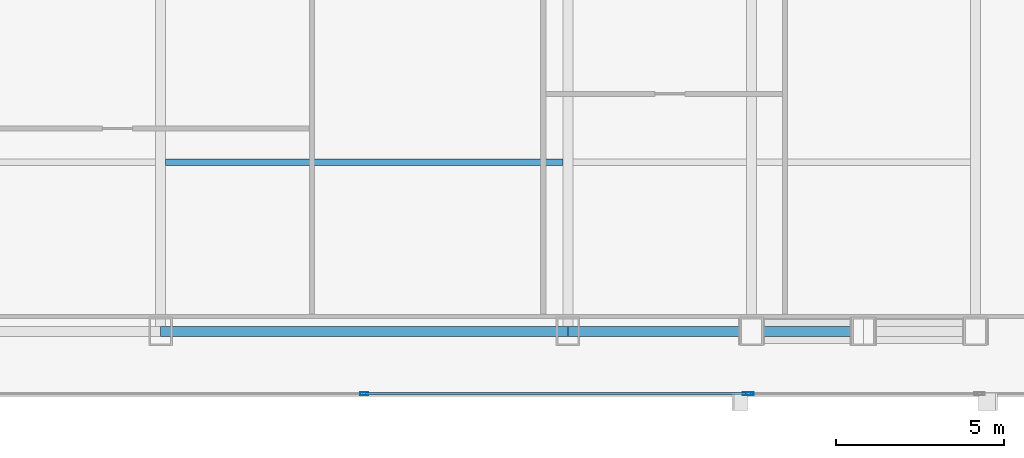
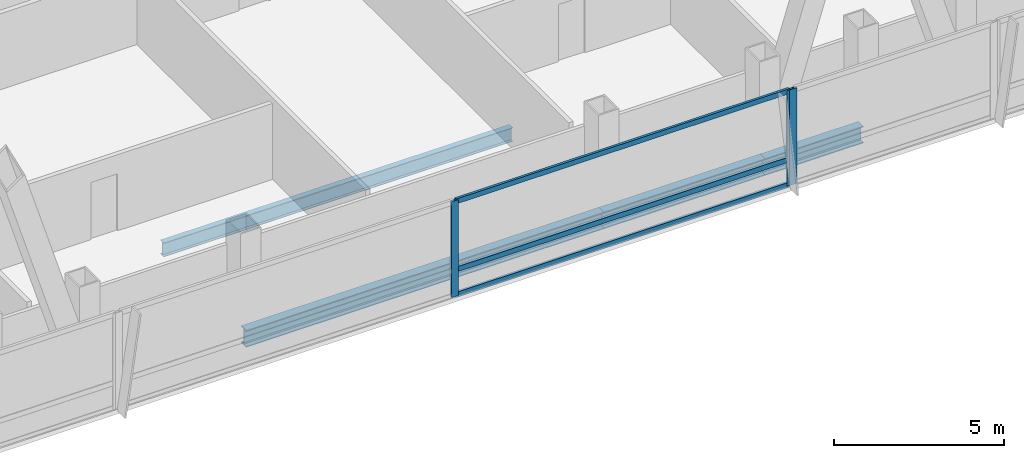
# One storey, part 12 of 30: 6 members, 4 beams, 2 elements without a shape of their own.
"""IFC4 building model written with IfcOpenShell, lengths in metres."""

from ifc_helpers import new_model, si_unit, direction, frame, origin, origin_2d, place, context, subcontext, project, spatial, hollow_rectangle, i_section, extrude, material, material_profile, profile_set, type_object, element, aggregate, save


model = new_model("IFC4")

# Units and contexts
model_context = context("Model", 3, precision=1e-05, world=origin(), true_north=direction((0.0, 1.0)))
body_context = subcontext(model_context, "Body", "Model", "MODEL_VIEW")
ifc_project = project(units=[si_unit("LENGTHUNIT", "METRE"), si_unit("AREAUNIT", "SQUARE_METRE"), si_unit("VOLUMEUNIT", "CUBIC_METRE"), si_unit("PLANEANGLEUNIT", "RADIAN"), si_unit("MASSUNIT", "GRAM", prefix="KILO")], contexts=[model_context])

# Site, building, storey
site_placement = place(None, origin())
site = spatial("IfcSite", under=ifc_project, at=site_placement, CompositionType="ELEMENT")
building_placement = place(site_placement, origin())
building = spatial("IfcBuilding", under=site, at=building_placement, Name="Khoronbel Lancet Exchange", CompositionType="ELEMENT")
storey_placement = place(building_placement, frame((0.0, 0.0, 136.199951171875)))
storey = spatial("IfcBuildingStorey", under=building, at=storey_placement, Name="L33", CompositionType="ELEMENT", Elevation=136.199951171875)

# Beams
ifc_material_1 = material(Name="Steel S355", Category="steel")
ifc_material_profile_1 = material_profile(ifc_material_1, i_section(OverallWidth=0.199951171875, OverallDepth=0.5, WebThickness=0.01025390625, FlangeThickness=0.01611328125, at=origin_2d()), Name="IPE 500")
ifc_profile_set_1 = profile_set([ifc_material_profile_1], Name="Steel S355")
beam_type_1 = type_object("IfcBeamType", Name="BM-BJ3", PredefinedType="JOIST", material=ifc_profile_set_1)
beam_1_placement = place(storey_placement, frame((30.52490234375, 15.199951171875, -0.409912109375), z_axis=(1.0, 0.0, 0.0), x_axis=(0.0, 1.0, 0.0)))
element("IfcBeam", 1, at=beam_1_placement, inside=storey, type_object=beam_type_1, Name="Level L33 secondary composite joist J03", PredefinedType="JOIST", context=body_context, shape_type="SweptSolid", body=[
    extrude(i_section(OverallWidth=0.199951171875, OverallDepth=0.5, WebThickness=0.01025390625, FlangeThickness=0.01611328125, at=origin_2d()), origin(), (0.0, 0.0, 1.0), 11.85009765625),
])
ifc_material_profile_2 = material_profile(ifc_material_1, i_section(OverallWidth=0.300048828125, OverallDepth=0.60009765625, WebThickness=0.015380859375, FlangeThickness=0.030029296875, at=origin_2d()), Name="HEB 600")
ifc_profile_set_2 = profile_set([ifc_material_profile_2], Name="Steel S355")
beam_type_2 = type_object("IfcBeamType", Name="BM-BSP2", PredefinedType="SPANDREL", material=ifc_profile_set_2)
beam_2_placement = place(storey_placement, frame((30.375, 10.14990234375, -0.4599609375), z_axis=(1.0, 0.0, 0.0), x_axis=(0.0, 1.0, 0.0)))
element("IfcBeam", 2, at=beam_2_placement, inside=storey, type_object=beam_type_2, Name="Level L33 perimeter spandrel beam SP04", PredefinedType="SPANDREL", context=body_context, shape_type="SweptSolid", body=[
    extrude(i_section(OverallWidth=0.300048828125, OverallDepth=0.60009765625, WebThickness=0.015380859375, FlangeThickness=0.030029296875, at=origin_2d()), origin(), (0.0, 0.0, 1.0), 12.14990234375),
])
beam_3_placement = place(storey_placement, frame((42.52490234375, 10.14990234375, -0.4599609375), z_axis=(1.0, 0.0, 0.0), x_axis=(0.0, 1.0, 0.0)))
element("IfcBeam", 3, at=beam_3_placement, inside=storey, type_object=beam_type_2, Name="Level L33 perimeter spandrel beam SP05", PredefinedType="SPANDREL", context=body_context, shape_type="SweptSolid", body=[
    extrude(i_section(OverallWidth=0.300048828125, OverallDepth=0.60009765625, WebThickness=0.015380859375, FlangeThickness=0.030029296875, at=origin_2d()), origin(), (0.0, 0.0, 1.0), 5.47509765625),
])
beam_4_placement = place(storey_placement, frame((48.0, 10.14990234375, -0.4599609375), z_axis=(1.0, 0.0, 0.0), x_axis=(0.0, 1.0, 0.0)))
element("IfcBeam", 4, at=beam_4_placement, inside=storey, type_object=beam_type_2, Name="Level L33 perimeter spandrel beam SP06", PredefinedType="SPANDREL", context=body_context, shape_type="SweptSolid", body=[
    extrude(i_section(OverallWidth=0.300048828125, OverallDepth=0.60009765625, WebThickness=0.015380859375, FlangeThickness=0.030029296875, at=origin_2d()), origin(), (0.0, 0.0, 1.0), 3.33740234375),
])

# Curtain wall, members
ifc_material_2 = material(Name="Low-E Solar Control Insulating Glass", Category="glass")
curtain_wall_type = type_object("IfcCurtainWallType", Name="CW-3", PredefinedType="NOTDEFINED", material=ifc_material_2)
curtain_wall_1_placement = place(storey_placement, origin())
curtain_wall_1 = element("IfcCurtainWall", 5, at=curtain_wall_1_placement, inside=storey, type_object=curtain_wall_type, Name="Unitised curtain wall CW-L33-SCV", PredefinedType="NOTDEFINED")
ifc_material_3 = material(Name="Bronze-Anodised Aluminium 6063-T6", Category="aluminium")
ifc_material_profile_3 = material_profile(ifc_material_3, hollow_rectangle(XDim=0.0849609375, YDim=0.239990234375, WallThickness=0.006103515625, at=origin_2d()), Name="ALU MULLION 85x240")
ifc_profile_set_3 = profile_set([ifc_material_profile_3], Name="Bronze-Anodised Aluminium 6063-T6")
member_type_1 = type_object("IfcMemberType", Name="MEM-CWM1", PredefinedType="MULLION", material=ifc_profile_set_3)
member_1_placement = place(storey_placement, frame((36.449951171875, 8.2900390625, 0.0), z_axis=(0.0, 0.0, 1.0), x_axis=(0.0, 1.0, 0.0)))
member_1 = element("IfcMember", 6, at=member_1_placement, type_object=member_type_1, Name="CW3 mullion 2", PredefinedType="MULLION", context=body_context, shape_type="SweptSolid", body=[
    extrude(hollow_rectangle(XDim=0.0849609375, YDim=0.239990234375, WallThickness=0.006103515625, at=origin_2d()), origin(), (0.0, 0.0, 1.0), 3.43994140625),
])
member_2_placement = place(storey_placement, frame((47.857421875, 8.2900390625, 0.0), z_axis=(0.0, 0.0, 1.0), x_axis=(0.0, 1.0, 0.0)))
member_2 = element("IfcMember", 7, at=member_2_placement, type_object=member_type_1, Name="CW3 mullion 3", PredefinedType="MULLION", context=body_context, shape_type="SweptSolid", body=[
    extrude(hollow_rectangle(XDim=0.0849609375, YDim=0.239990234375, WallThickness=0.006103515625, at=origin_2d()), origin(), (0.0, 0.0, 1.0), 3.43994140625),
])

# Curtain wall, member
curtain_wall_2_placement = place(storey_placement, origin())
curtain_wall_2 = element("IfcCurtainWall", 8, at=curtain_wall_2_placement, inside=storey, type_object=curtain_wall_type, Name="Unitised curtain wall CW-L33-SEB", PredefinedType="NOTDEFINED")
member_3_placement = place(storey_placement, frame((47.9423828125, 8.2900390625, 0.0), z_axis=(0.0, 0.0, 1.0), x_axis=(0.0, 1.0, 0.0)))
member_3 = element("IfcMember", 9, at=member_3_placement, type_object=member_type_1, Name="CW3 mullion 1", PredefinedType="MULLION", context=body_context, shape_type="SweptSolid", body=[
    extrude(hollow_rectangle(XDim=0.0849609375, YDim=0.239990234375, WallThickness=0.006103515625, at=origin_2d()), origin(), (0.0, 0.0, 1.0), 3.43994140625),
])
aggregate(curtain_wall_2, [member_3])

# Member
ifc_material_profile_4 = material_profile(ifc_material_3, hollow_rectangle(XDim=0.0849609375, YDim=0.179931640625, WallThickness=0.0048828125, at=origin_2d()), Name="ALU TRANSOM 85x180")
ifc_profile_set_4 = profile_set([ifc_material_profile_4], Name="Bronze-Anodised Aluminium 6063-T6")
member_type_2 = type_object("IfcMemberType", Name="MEM-CWT1", PredefinedType="USERDEFINED", material=ifc_profile_set_4)
member_4_placement = place(storey_placement, frame((36.492431640625, 8.2900390625, 0.04248046875), z_axis=(1.0, 0.0, 0.0), x_axis=(0.0, 1.0, 0.0)))
member_4 = element("IfcMember", 10, at=member_4_placement, type_object=member_type_2, Name="CW3 transom 2.1", ObjectType="TRANSOM", PredefinedType="USERDEFINED", context=body_context, shape_type="SweptSolid", body=[
    extrude(hollow_rectangle(XDim=0.0849609375, YDim=0.179931640625, WallThickness=0.0048828125, at=origin_2d()), origin(), (0.0, 0.0, 1.0), 11.322509765625),
])

member_5_placement = place(storey_placement, frame((36.492431640625, 8.2900390625, 0.949951171875), z_axis=(1.0, 0.0, 0.0), x_axis=(0.0, 1.0, 0.0)))
member_5 = element("IfcMember", 11, at=member_5_placement, type_object=member_type_2, Name="CW3 transom 2.2", ObjectType="TRANSOM", PredefinedType="USERDEFINED", context=body_context, shape_type="SweptSolid", body=[
    extrude(hollow_rectangle(XDim=0.0849609375, YDim=0.179931640625, WallThickness=0.0048828125, at=origin_2d()), origin(), (0.0, 0.0, 1.0), 11.322509765625),
])

member_6_placement = place(storey_placement, frame((36.492431640625, 8.2900390625, 3.3974609375), z_axis=(1.0, 0.0, 0.0), x_axis=(0.0, 1.0, 0.0)))
member_6 = element("IfcMember", 12, at=member_6_placement, type_object=member_type_2, Name="CW3 transom 2.3", ObjectType="TRANSOM", PredefinedType="USERDEFINED", context=body_context, shape_type="SweptSolid", body=[
    extrude(hollow_rectangle(XDim=0.0849609375, YDim=0.179931640625, WallThickness=0.0048828125, at=origin_2d()), origin(), (0.0, 0.0, 1.0), 11.322509765625),
])

aggregate(curtain_wall_1, [member_1, member_2, member_4, member_5, member_6])

save(model, "model.ifc")
